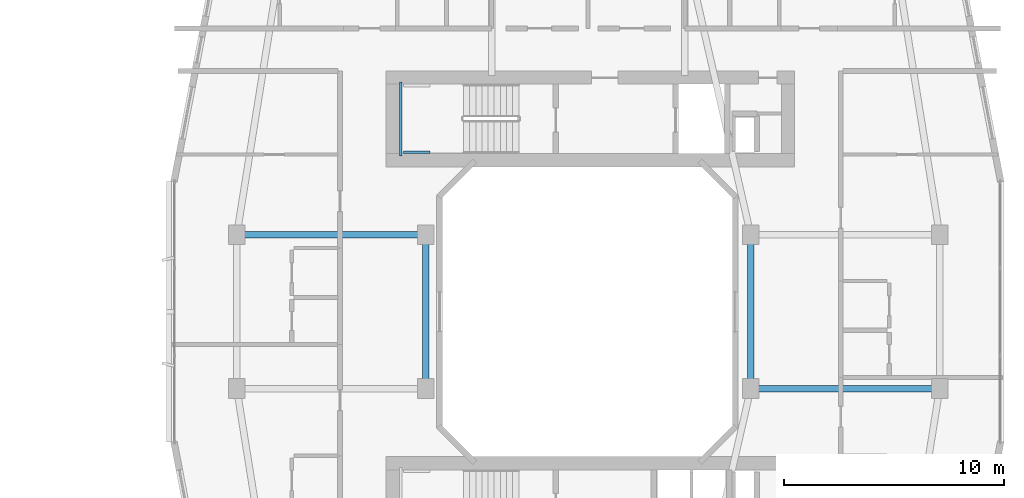
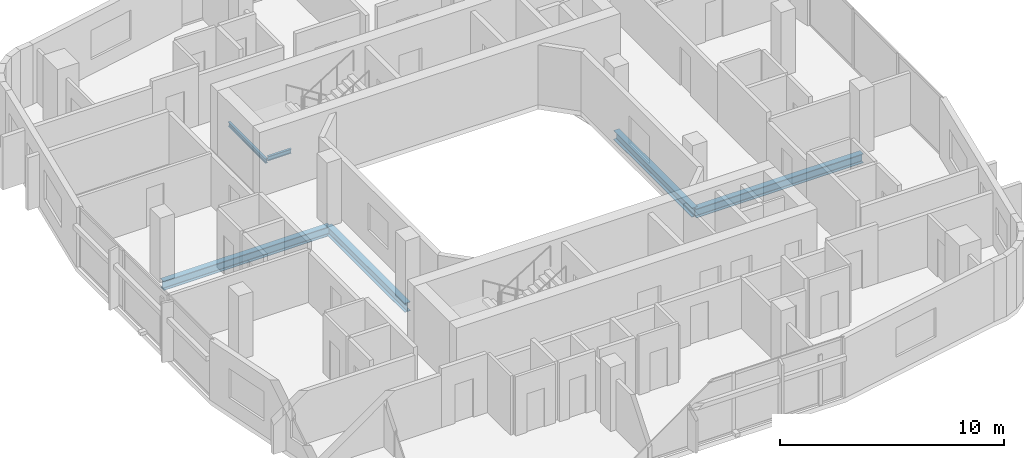
# One storey, part 9 of 27: 6 beams.
"""IFC4 building model written with IfcOpenShell, lengths in metres."""

from ifc_helpers import new_model, si_unit, derived_unit, direction, frame, origin, origin_2d, place, context, subcontext, project, spatial, i_section, extrude, material, material_profile, profile_set, type_object, element, save


model = new_model("IFC4")

# Units and contexts
model_context = context("Model", 3, precision=1e-05, world=origin(), true_north=direction((0.0, 1.0)))
body_context = subcontext(model_context, "Body", "Model", "MODEL_VIEW")
ifc_project = project(units=[si_unit("LENGTHUNIT", "METRE"), si_unit("AREAUNIT", "SQUARE_METRE"), si_unit("VOLUMEUNIT", "CUBIC_METRE"), si_unit("PLANEANGLEUNIT", "RADIAN"), si_unit("MASSUNIT", "GRAM", prefix="KILO"), derived_unit("THERMALTRANSMITTANCEUNIT", [(si_unit("POWERUNIT", "WATT"), 1), (si_unit("LENGTHUNIT", "METRE"), -2), (si_unit("THERMODYNAMICTEMPERATUREUNIT", "KELVIN"), -1)])], contexts=[model_context])

# Site, building, storey
site_placement = place(None, origin())
site = spatial("IfcSite", under=ifc_project, at=site_placement, CompositionType="ELEMENT")
building_placement = place(site_placement, origin())
building = spatial("IfcBuilding", under=site, at=building_placement, Name="Kivonza Crest Hotel", CompositionType="ELEMENT")
storey_placement = place(building_placement, frame((0.0, 0.0, 41.5)))
storey = spatial("IfcBuildingStorey", under=building, at=storey_placement, Name="L10", CompositionType="ELEMENT", Elevation=41.5)

# Beams
ifc_material = material(Name="Steel S355", Category="steel")
ifc_material_profile_1 = material_profile(ifc_material, i_section(OverallWidth=0.300048828125, OverallDepth=0.5, WebThickness=0.014404296875, FlangeThickness=0.028076171875, FilletRadius=0.027099609375, at=origin_2d()), Name="HEB 500")
ifc_profile_set_1 = profile_set([ifc_material_profile_1], Name="Steel S355")
beam_type_1 = type_object("IfcBeamType", Name="BM-HEB500", PredefinedType="BEAM", material=ifc_profile_set_1)
beam_1_placement = place(storey_placement, frame((61.0, 28.5, -0.5), z_axis=(1.0, 0.0, 0.0), x_axis=(0.0, 1.0, 0.0)))
element("IfcBeam", 1, at=beam_1_placement, inside=storey, type_object=beam_type_1, Name="Companion Tower T2 L10 girder W2-WL2", PredefinedType="BEAM", context=body_context, shape_type="SweptSolid", body=[
    extrude(i_section(OverallWidth=0.300048828125, OverallDepth=0.5, WebThickness=0.014404296875, FlangeThickness=0.028076171875, FilletRadius=0.027099609375, at=origin_2d()), origin(), (0.0, 0.0, 1.0), 8.60009765625),
])
beam_2_placement = place(storey_placement, frame((69.60009765625, 21.5, -0.5), z_axis=(0.0, 1.0, 0.0), x_axis=(-1.0, 0.0, 0.0)))
element("IfcBeam", 2, at=beam_2_placement, inside=storey, type_object=beam_type_1, Name="Companion Tower T2 L10 girder WL1-WL2", PredefinedType="BEAM", context=body_context, shape_type="SweptSolid", body=[
    extrude(i_section(OverallWidth=0.300048828125, OverallDepth=0.5, WebThickness=0.014404296875, FlangeThickness=0.028076171875, FilletRadius=0.027099609375, at=origin_2d()), origin(), (0.0, 0.0, 1.0), 7.0),
])
beam_3_placement = place(storey_placement, frame((84.39990234375, 21.5, -0.5), z_axis=(1.0, 0.0, 0.0), x_axis=(0.0, 1.0, 0.0)))
element("IfcBeam", 3, at=beam_3_placement, inside=storey, type_object=beam_type_1, Name="Companion Tower T2 L10 girder WR1-E1", PredefinedType="BEAM", context=body_context, shape_type="SweptSolid", body=[
    extrude(i_section(OverallWidth=0.300048828125, OverallDepth=0.5, WebThickness=0.014404296875, FlangeThickness=0.028076171875, FilletRadius=0.027099609375, at=origin_2d()), origin(), (0.0, 0.0, 1.0), 8.60009765625),
])
beam_4_placement = place(storey_placement, frame((84.39990234375, 21.5, -0.5), z_axis=(0.0, 1.0, 0.0), x_axis=(-1.0, 0.0, 0.0)))
element("IfcBeam", 4, at=beam_4_placement, inside=storey, type_object=beam_type_1, Name="Companion Tower T2 L10 girder WR1-WR2", PredefinedType="BEAM", context=body_context, shape_type="SweptSolid", body=[
    extrude(i_section(OverallWidth=0.300048828125, OverallDepth=0.5, WebThickness=0.014404296875, FlangeThickness=0.028076171875, FilletRadius=0.027099609375, at=origin_2d()), origin(), (0.0, 0.0, 1.0), 7.0),
])
ifc_material_profile_2 = material_profile(ifc_material, i_section(OverallWidth=0.1201171875, OverallDepth=0.239990234375, WebThickness=0.006103515625, FlangeThickness=0.009765625, FilletRadius=0.014892578125, at=origin_2d()), Name="IPE 240")
ifc_profile_set_2 = profile_set([ifc_material_profile_2], Name="Steel S355")
beam_type_2 = type_object("IfcBeamType", Name="BM-LLDG-240", PredefinedType="BEAM", material=ifc_profile_set_2)
beam_5_placement = place(storey_placement, frame((68.4599609375, 32.10009765625, 1.429931640625), z_axis=(0.0, 1.0, 0.0), x_axis=(-1.0, 0.0, 0.0)))
element("IfcBeam", 5, at=beam_5_placement, inside=storey, type_object=beam_type_2, Name="Stair ST-T2-N L10 West landing corbel", PredefinedType="BEAM", context=body_context, shape_type="SweptSolid", body=[
    extrude(i_section(OverallWidth=0.1201171875, OverallDepth=0.239990234375, WebThickness=0.006103515625, FlangeThickness=0.009765625, FilletRadius=0.014892578125, at=origin_2d()), origin(), (0.0, 0.0, 1.0), 3.35986328125),
])
beam_6_placement = place(storey_placement, frame((68.590087890625, 32.260009765625, 1.429931640625), z_axis=(1.0, 0.0, 0.0), x_axis=(0.0, 1.0, 0.0)))
element("IfcBeam", 6, at=beam_6_placement, inside=storey, type_object=beam_type_2, Name="Stair ST-T2-N L10 South landing corbel", PredefinedType="BEAM", context=body_context, shape_type="SweptSolid", body=[
    extrude(i_section(OverallWidth=0.1201171875, OverallDepth=0.239990234375, WebThickness=0.006103515625, FlangeThickness=0.009765625, FilletRadius=0.014892578125, at=origin_2d()), origin(), (0.0, 0.0, 1.0), 1.2099609375),
])

save(model, "model.ifc")
